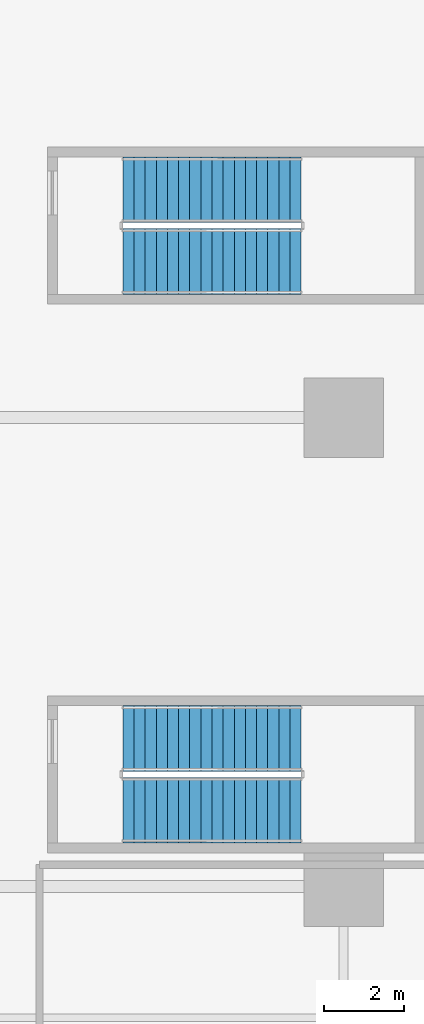
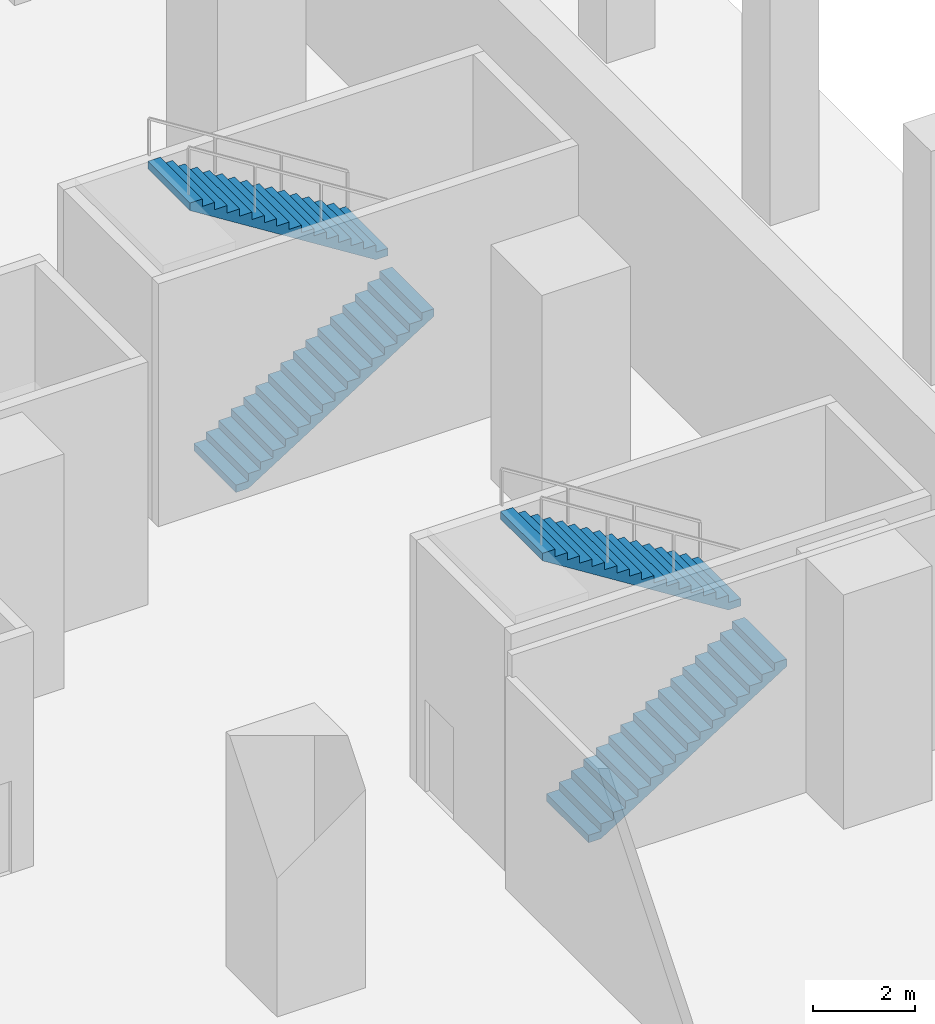
# One storey, part 7 of 16: 4 stair flights, 2 elements without a shape of their own.
"""IFC4 building model written with IfcOpenShell, lengths in metres."""

from ifc_helpers import new_model, si_unit, direction, frame, origin, place, context, subcontext, project, spatial, polyline, outline, extrude, source, transform, mapped, material, type_object, element, aggregate, save


model = new_model("IFC4")

# Units and contexts
model_context = context("Model", 3, precision=1e-05, world=origin(), true_north=direction((0.0, 1.0)))
body_context = subcontext(model_context, "Body", "Model", "MODEL_VIEW")
ifc_project = project(units=[si_unit("LENGTHUNIT", "METRE"), si_unit("AREAUNIT", "SQUARE_METRE"), si_unit("VOLUMEUNIT", "CUBIC_METRE"), si_unit("PLANEANGLEUNIT", "RADIAN"), si_unit("MASSUNIT", "GRAM", prefix="KILO")], contexts=[model_context])

# Site, building, storey
site_placement = place(None, origin())
site = spatial("IfcSite", under=ifc_project, at=site_placement, CompositionType="ELEMENT")
building_placement = place(site_placement, origin())
building = spatial("IfcBuilding", under=site, at=building_placement, Name="Vardaveli Station Tower", CompositionType="ELEMENT")
storey_placement = place(building_placement, frame((0.0, 0.0, -6.0)))
storey = spatial("IfcBuildingStorey", under=building, at=storey_placement, Name="B01", CompositionType="ELEMENT", Elevation=-6.0)

# Stair, stair flights
ifc_material = material(Name="Structural steel S355J2", Category="steel")
stair_type = type_object("IfcStairType", Name="STR-FEAT-1650", PredefinedType="STRAIGHT_RUN_STAIR", material=ifc_material)
stair_1_placement = place(storey_placement, origin())
stair_1 = element("IfcStair", 1, at=stair_1_placement, inside=storey, type_object=stair_type, Name="B01 ST-C1", PredefinedType="HALF_TURN_STAIR")
stair_flight_type = type_object("IfcStairFlightType", Name="SFL-FEAT-1650", PredefinedType="STRAIGHT", material=ifc_material)
shared_shape = source(origin(), body_context, "Body", "SweptSolid", [
    extrude(outline(polyline([(0.0, 0.0), (0.0, 0.176513671875), (0.280029296875, 0.176513671875), (0.280029296875, 0.35302734375), (0.56005859375, 0.35302734375), (0.56005859375, 0.529296875), (0.840087890625, 0.529296875), (0.840087890625, 0.705810546875), (1.1201171875, 0.705810546875), (1.1201171875, 0.88232421875), (1.39990234375, 0.88232421875), (1.39990234375, 1.058837890625), (1.679931640625, 1.058837890625), (1.679931640625, 1.2353515625), (1.9599609375, 1.2353515625), (1.9599609375, 1.411865234375), (2.239990234375, 1.411865234375), (2.239990234375, 1.588134765625), (2.52001953125, 1.588134765625), (2.52001953125, 1.7646484375), (2.800048828125, 1.7646484375), (2.800048828125, 1.941162109375), (3.080078125, 1.941162109375), (3.080078125, 2.11767578125), (3.360107421875, 2.11767578125), (3.360107421875, 2.294189453125), (3.639892578125, 2.294189453125), (3.639892578125, 2.470703125), (3.919921875, 2.470703125), (3.919921875, 2.64697265625), (4.199951171875, 2.64697265625), (4.199951171875, 2.823486328125), (4.47998046875, 2.823486328125), (4.47998046875, 3.0), (4.47998046875, 2.646240234375), (0.28125, 0.0), (0.0, 0.0)])), frame((0.0, 0.824951171875, 0.0), z_axis=(0.0, -1.0, 0.0), x_axis=(1.0, 0.0, 0.0)), (0.0, 0.0, 1.0), 1.64990234375),
])
stair_flight_1_placement = place(storey_placement, frame((67.25, 19.02490234375, 0.0), z_axis=(0.0, 0.0, 1.0), x_axis=(1.0, 0.0, 0.0)))
stair_flight_1 = element("IfcStairFlight", 2, at=stair_flight_1_placement, type_object=stair_flight_type, Name="ST-C1 flight 1", NumberOfRisers=17, NumberOfTreads=16, PredefinedType="STRAIGHT", RiserHeight=0.176470588, TreadLength=0.28, context=body_context, shape_type="MappedRepresentation", body=[
    mapped(shared_shape, transform((0.0, 0.0, 0.0), scale=1.0)),
])
stair_flight_2_placement = place(storey_placement, frame((71.72998046875, 20.824951171875, 3.0), z_axis=(0.0, 0.0, 1.0), x_axis=(-1.0, 0.0, 0.0)))
stair_flight_2 = element("IfcStairFlight", 3, at=stair_flight_2_placement, type_object=stair_flight_type, Name="ST-C1 flight 2", NumberOfRisers=17, NumberOfTreads=16, PredefinedType="STRAIGHT", RiserHeight=0.176470588, TreadLength=0.28, context=body_context, shape_type="MappedRepresentation", body=[
    mapped(shared_shape, transform((0.0, 0.0, 0.0), scale=1.0)),
])
aggregate(stair_1, [stair_flight_1, stair_flight_2])

stair_2_placement = place(storey_placement, origin())
stair_2 = element("IfcStair", 4, at=stair_2_placement, inside=storey, type_object=stair_type, Name="B01 ST-C2", PredefinedType="HALF_TURN_STAIR")
stair_flight_3_placement = place(storey_placement, frame((67.25, 32.824951171875, 0.0), z_axis=(0.0, 0.0, 1.0), x_axis=(1.0, 0.0, 0.0)))
stair_flight_3 = element("IfcStairFlight", 5, at=stair_flight_3_placement, type_object=stair_flight_type, Name="ST-C2 flight 1", NumberOfRisers=17, NumberOfTreads=16, PredefinedType="STRAIGHT", RiserHeight=0.176470588, TreadLength=0.28, context=body_context, shape_type="MappedRepresentation", body=[
    mapped(shared_shape, transform((0.0, 0.0, 0.0), scale=1.0)),
])
stair_flight_4_placement = place(storey_placement, frame((71.72998046875, 34.625, 3.0), z_axis=(0.0, 0.0, 1.0), x_axis=(-1.0, 0.0, 0.0)))
stair_flight_4 = element("IfcStairFlight", 6, at=stair_flight_4_placement, type_object=stair_flight_type, Name="ST-C2 flight 2", NumberOfRisers=17, NumberOfTreads=16, PredefinedType="STRAIGHT", RiserHeight=0.176470588, TreadLength=0.28, context=body_context, shape_type="MappedRepresentation", body=[
    mapped(shared_shape, transform((0.0, 0.0, 0.0), scale=1.0)),
])
aggregate(stair_2, [stair_flight_3, stair_flight_4])

save(model, "model.ifc")
